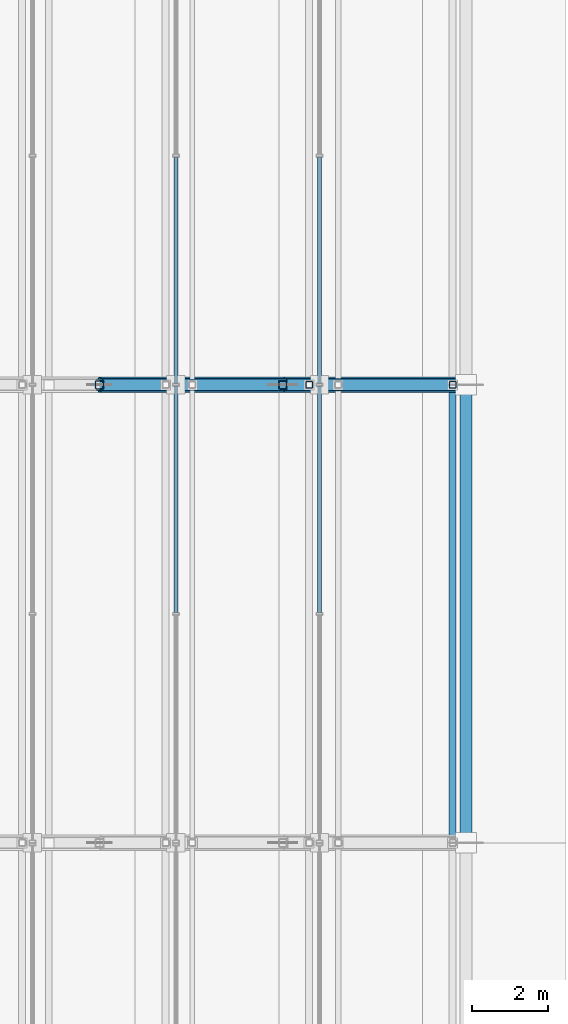
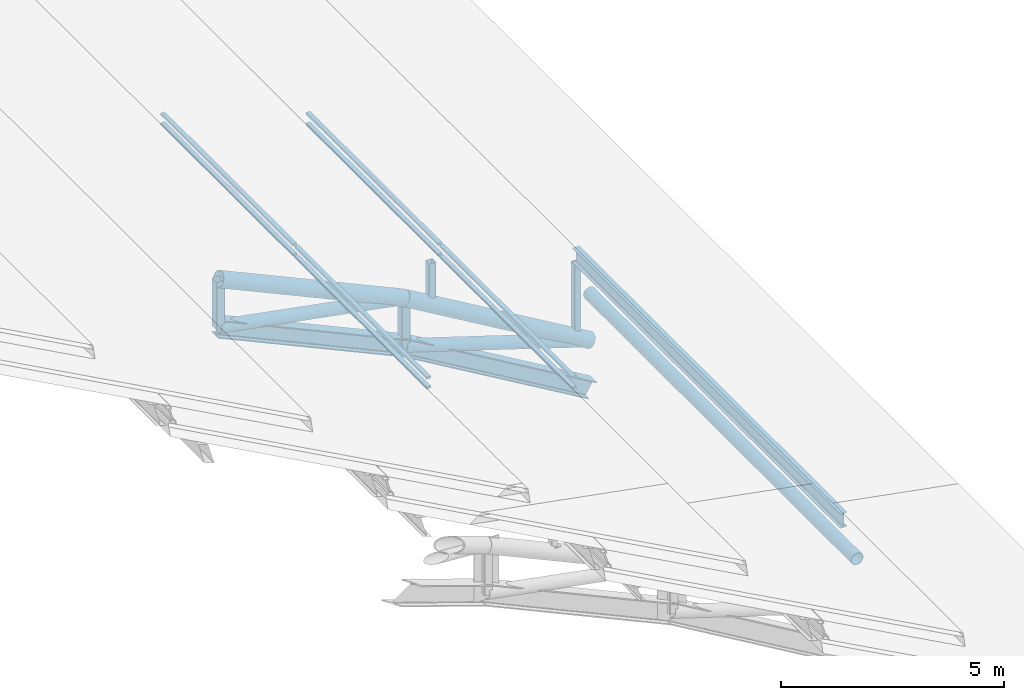
# One storey, part 28 of 117: 19 members, 1 beam, 2 elements without a shape of their own.
"""IFC4 building model written with IfcOpenShell, lengths in metres."""

from ifc_helpers import new_model, si_unit, direction, frame, origin, origin_2d, place, context, subcontext, project, spatial, hollow_rectangle, hollow_circle, i_section, extrude, material, material_profile, profile_set, type_object, element, aggregate, save


model = new_model("IFC4")

# Units and contexts
model_context = context("Model", 3, precision=1e-05, world=origin(), true_north=direction((0.0, 1.0)))
body_context = subcontext(model_context, "Body", "Model", "MODEL_VIEW")
ifc_project = project(units=[si_unit("LENGTHUNIT", "METRE"), si_unit("AREAUNIT", "SQUARE_METRE"), si_unit("VOLUMEUNIT", "CUBIC_METRE"), si_unit("PLANEANGLEUNIT", "RADIAN"), si_unit("MASSUNIT", "GRAM", prefix="KILO")], contexts=[model_context])

# Site, building, storey
site_placement = place(None, origin())
site = spatial("IfcSite", under=ifc_project, at=site_placement, CompositionType="ELEMENT")
building_placement = place(site_placement, origin())
building = spatial("IfcBuilding", under=site, at=building_placement, Name="Merenkruunu Market Hall", CompositionType="ELEMENT")
storey_placement = place(building_placement, frame((0.0, 0.0, 22.800048828125)))
storey = spatial("IfcBuildingStorey", under=building, at=storey_placement, Name="RF", CompositionType="ELEMENT", Elevation=22.800048828125)

# Members
ifc_material_1 = material(Name="Steel S355ML", Category="steel")
ifc_material_profile_1 = material_profile(ifc_material_1, hollow_circle(Radius=0.203125, WallThickness=0.01611328125, at=origin_2d()), Name="CHS 406.4x16")
ifc_profile_set_1 = profile_set([ifc_material_profile_1], Name="Steel S355ML")
member_type_1 = type_object("IfcMemberType", Name="Arch Truss Chord TC02", PredefinedType="CHORD", material=ifc_profile_set_1)
member_1_placement = place(storey_placement, frame((48.0, 75.60009765625, -5.12109375), z_axis=(0.909419998666, 0.0, -0.415878907889), x_axis=(0.0, 1.0, 0.0)))
element("IfcMember", 1, at=member_1_placement, inside=storey, type_object=member_type_1, Name="TRUSS-AT-6-TOP-11", PredefinedType="CHORD", context=body_context, shape_type="SweptSolid", body=[
    extrude(hollow_circle(Radius=0.203125, WallThickness=0.01611328125, at=origin_2d()), origin(), (0.0, 0.0, 1.0), 5.278076171875),
])
member_2_placement = place(storey_placement, frame((52.800048828125, 75.60009765625, -7.316162109375), z_axis=(0.861115679414, 0.0, -0.508409074139), x_axis=(0.0, 1.0, 0.0)))
element("IfcMember", 2, at=member_2_placement, inside=storey, type_object=member_type_1, Name="TRUSS-AT-6-TOP-12", PredefinedType="CHORD", context=body_context, shape_type="SweptSolid", body=[
    extrude(hollow_circle(Radius=0.203125, WallThickness=0.01611328125, at=origin_2d()), origin(), (0.0, 0.0, 1.0), 5.57421875),
])
ifc_material_profile_2 = material_profile(ifc_material_1, i_section(OverallWidth=0.300048828125, OverallDepth=0.449951171875, WebThickness=0.013916015625, FlangeThickness=0.02587890625, FilletRadius=0.027099609375, at=origin_2d()), Name="HEB 450")
ifc_profile_set_2 = profile_set([ifc_material_profile_2], Name="Steel S355ML")
member_type_2 = type_object("IfcMemberType", Name="Arch Truss Chord TC04", PredefinedType="CHORD", material=ifc_profile_set_2)
member_3_placement = place(storey_placement, frame((48.0, 75.60009765625, -6.421142578125), z_axis=(0.909437492245, 0.0, -0.415840651812), x_axis=(0.0, 1.0, 0.0)))
element("IfcMember", 3, at=member_3_placement, inside=storey, type_object=member_type_2, Name="TRUSS-AT-6-BOT-11", PredefinedType="CHORD", context=body_context, shape_type="SweptSolid", body=[
    extrude(i_section(OverallWidth=0.300048828125, OverallDepth=0.449951171875, WebThickness=0.013916015625, FlangeThickness=0.02587890625, FilletRadius=0.027099609375, at=origin_2d()), origin(), (0.0, 0.0, 1.0), 5.278076171875),
])
member_4_placement = place(storey_placement, frame((52.800048828125, 75.60009765625, -8.615966796875), z_axis=(0.861115679414, 0.0, -0.508409074139), x_axis=(0.0, 1.0, 0.0)))
element("IfcMember", 4, at=member_4_placement, inside=storey, type_object=member_type_2, Name="TRUSS-AT-6-BOT-12", PredefinedType="CHORD", context=body_context, shape_type="SweptSolid", body=[
    extrude(i_section(OverallWidth=0.300048828125, OverallDepth=0.449951171875, WebThickness=0.013916015625, FlangeThickness=0.02587890625, FilletRadius=0.027099609375, at=origin_2d()), origin(), (0.0, 0.0, 1.0), 5.57421875),
])

# Curtain wall, members
ifc_material_2 = material(Name="Powder-coated aluminium", Category="aluminium")
curtain_wall_type = type_object("IfcCurtainWallType", Name="Clerestory Curtain Band CL05", PredefinedType="USERDEFINED", material=ifc_material_2)
curtain_wall_1_placement = place(storey_placement, origin())
curtain_wall_1 = element("IfcCurtainWall", 5, at=curtain_wall_1_placement, inside=storey, type_object=curtain_wall_type, Name="CW-RF-CWM04-086", ObjectType="CLERESTORY_BAND", PredefinedType="USERDEFINED")
ifc_material_profile_3 = material_profile(ifc_material_2, hollow_rectangle(XDim=0.06005859375, YDim=0.110107421875, WallThickness=0.00390625, at=origin_2d()), Name="ALU 60x110x4")
ifc_profile_set_3 = profile_set([ifc_material_profile_3], Name="Powder-coated aluminium")
member_type_3 = type_object("IfcMemberType", Name="Curtain Wall Transom CWT03", PredefinedType="USERDEFINED", material=ifc_profile_set_3)
member_5_placement = place(storey_placement, frame((53.760009765625, 81.56494140625, -6.491943359375), z_axis=(0.0, -1.0, 0.0), x_axis=(0.0, 0.0, 1.0)))
member_5 = element("IfcMember", 6, at=member_5_placement, type_object=member_type_3, Name="CL05 transom 2.1", ObjectType="TRANSOM", PredefinedType="USERDEFINED", context=body_context, shape_type="SweptSolid", body=[
    extrude(hollow_rectangle(XDim=0.06005859375, YDim=0.110107421875, WallThickness=0.00390625, at=origin_2d()), origin(), (0.0, 0.0, 1.0), 5.929931640625),
])
member_6_placement = place(storey_placement, frame((53.760009765625, 81.56494140625, -6.2041015625), z_axis=(0.0, -1.0, 0.0), x_axis=(0.0, 0.0, 1.0)))
member_6 = element("IfcMember", 7, at=member_6_placement, type_object=member_type_3, Name="CL05 transom 2.2", ObjectType="TRANSOM", PredefinedType="USERDEFINED", context=body_context, shape_type="SweptSolid", body=[
    extrude(hollow_rectangle(XDim=0.06005859375, YDim=0.110107421875, WallThickness=0.00390625, at=origin_2d()), origin(), (0.0, 0.0, 1.0), 5.929931640625),
])
member_7_placement = place(storey_placement, frame((53.760009765625, 75.56494140625, -6.491943359375), z_axis=(0.0, -1.0, 0.0), x_axis=(0.0, 0.0, 1.0)))
member_7 = element("IfcMember", 8, at=member_7_placement, type_object=member_type_3, Name="CL05 transom 3.1", ObjectType="TRANSOM", PredefinedType="USERDEFINED", context=body_context, shape_type="SweptSolid", body=[
    extrude(hollow_rectangle(XDim=0.06005859375, YDim=0.110107421875, WallThickness=0.00390625, at=origin_2d()), origin(), (0.0, 0.0, 1.0), 5.929931640625),
])
member_8_placement = place(storey_placement, frame((53.760009765625, 75.56494140625, -6.2041015625), z_axis=(0.0, -1.0, 0.0), x_axis=(0.0, 0.0, 1.0)))
member_8 = element("IfcMember", 9, at=member_8_placement, type_object=member_type_3, Name="CL05 transom 3.2", ObjectType="TRANSOM", PredefinedType="USERDEFINED", context=body_context, shape_type="SweptSolid", body=[
    extrude(hollow_rectangle(XDim=0.06005859375, YDim=0.110107421875, WallThickness=0.00390625, at=origin_2d()), origin(), (0.0, 0.0, 1.0), 5.929931640625),
])
aggregate(curtain_wall_1, [member_5, member_6, member_7, member_8])

curtain_wall_2_placement = place(storey_placement, origin())
curtain_wall_2 = element("IfcCurtainWall", 10, at=curtain_wall_2_placement, inside=storey, type_object=curtain_wall_type, Name="CW-RF-CWM04-094", ObjectType="CLERESTORY_BAND", PredefinedType="USERDEFINED")
member_9_placement = place(storey_placement, frame((50.0, 81.56494140625, -5.172119140625), z_axis=(0.0, -1.0, 0.0), x_axis=(0.0, 0.0, 1.0)))
member_9 = element("IfcMember", 11, at=member_9_placement, type_object=member_type_3, Name="CL05 transom 2.1", ObjectType="TRANSOM", PredefinedType="USERDEFINED", context=body_context, shape_type="SweptSolid", body=[
    extrude(hollow_rectangle(XDim=0.06005859375, YDim=0.110107421875, WallThickness=0.00390625, at=origin_2d()), origin(), (0.0, 0.0, 1.0), 5.929931640625),
])
member_10_placement = place(storey_placement, frame((50.0, 81.56494140625, -4.905029296875), z_axis=(0.0, -1.0, 0.0), x_axis=(0.0, 0.0, 1.0)))
member_10 = element("IfcMember", 12, at=member_10_placement, type_object=member_type_3, Name="CL05 transom 2.2", ObjectType="TRANSOM", PredefinedType="USERDEFINED", context=body_context, shape_type="SweptSolid", body=[
    extrude(hollow_rectangle(XDim=0.06005859375, YDim=0.110107421875, WallThickness=0.00390625, at=origin_2d()), origin(), (0.0, 0.0, 1.0), 5.929931640625),
])
member_11_placement = place(storey_placement, frame((50.0, 75.56494140625, -5.172119140625), z_axis=(0.0, -1.0, 0.0), x_axis=(0.0, 0.0, 1.0)))
member_11 = element("IfcMember", 13, at=member_11_placement, type_object=member_type_3, Name="CL05 transom 3.1", ObjectType="TRANSOM", PredefinedType="USERDEFINED", context=body_context, shape_type="SweptSolid", body=[
    extrude(hollow_rectangle(XDim=0.06005859375, YDim=0.110107421875, WallThickness=0.00390625, at=origin_2d()), origin(), (0.0, 0.0, 1.0), 5.929931640625),
])
member_12_placement = place(storey_placement, frame((50.0, 75.56494140625, -4.905029296875), z_axis=(0.0, -1.0, 0.0), x_axis=(0.0, 0.0, 1.0)))
member_12 = element("IfcMember", 14, at=member_12_placement, type_object=member_type_3, Name="CL05 transom 3.2", ObjectType="TRANSOM", PredefinedType="USERDEFINED", context=body_context, shape_type="SweptSolid", body=[
    extrude(hollow_rectangle(XDim=0.06005859375, YDim=0.110107421875, WallThickness=0.00390625, at=origin_2d()), origin(), (0.0, 0.0, 1.0), 5.929931640625),
])
aggregate(curtain_wall_2, [member_9, member_10, member_11, member_12])

# Members
ifc_material_profile_4 = material_profile(ifc_material_1, hollow_circle(Radius=0.161865234375, WallThickness=0.01611328125, at=origin_2d()), Name="CHS 323.9x16")
ifc_profile_set_4 = profile_set([ifc_material_profile_4], Name="Steel S355ML")
member_type_4 = type_object("IfcMemberType", Name="Diagonal Sway Brace BR01", PredefinedType="BRACE", material=ifc_profile_set_4)
member_13_placement = place(storey_placement, frame((48.0, 75.60009765625, -6.421142578125), z_axis=(0.983056786802, 0.0, -0.18330126547), x_axis=(0.0, 1.0, 0.0)))
element("IfcMember", 15, at=member_13_placement, inside=storey, type_object=member_type_4, Name="TRUSS-AT-6-DIAG-11", PredefinedType="BRACE", context=body_context, shape_type="SweptSolid", body=[
    extrude(hollow_circle(Radius=0.161865234375, WallThickness=0.01611328125, at=origin_2d()), origin(), (0.0, 0.0, 1.0), 4.8828125),
])
member_14_placement = place(storey_placement, frame((52.800048828125, 75.60009765625, -8.615966796875), z_axis=(0.95252984503, 0.0, -0.304445223853), x_axis=(0.0, 1.0, 0.0)))
element("IfcMember", 16, at=member_14_placement, inside=storey, type_object=member_type_4, Name="TRUSS-AT-6-DIAG-12", PredefinedType="BRACE", context=body_context, shape_type="SweptSolid", body=[
    extrude(hollow_circle(Radius=0.161865234375, WallThickness=0.01611328125, at=origin_2d()), origin(), (0.0, 0.0, 1.0), 5.039306640625),
])
ifc_material_3 = material(Name="Steel S355J2", Category="steel")
ifc_material_profile_5 = material_profile(ifc_material_3, hollow_rectangle(XDim=0.219970703125, YDim=0.219970703125, WallThickness=0.012451171875, InnerFilletRadius=0.012451171875, OuterFilletRadius=0.02490234375, at=origin_2d()), Name="SHS 220x220x12.5")
ifc_profile_set_5 = profile_set([ifc_material_profile_5], Name="Steel S355J2")
member_type_5 = type_object("IfcMemberType", Name="Diagonal Sway Brace BR04", PredefinedType="BRACE", material=ifc_profile_set_5)
member_15_placement = place(storey_placement, frame((48.0, 75.60009765625, -6.421142578125), z_axis=(0.0, 0.0, 1.0), x_axis=(1.0, 0.0, 0.0)))
element("IfcMember", 17, at=member_15_placement, inside=storey, type_object=member_type_5, Name="TRUSS-AT-6-POST-10", PredefinedType="BRACE", context=body_context, shape_type="SweptSolid", body=[
    extrude(hollow_rectangle(XDim=0.219970703125, YDim=0.219970703125, WallThickness=0.012451171875, InnerFilletRadius=0.012451171875, OuterFilletRadius=0.02490234375, at=origin_2d()), origin(), (0.0, 0.0, 1.0), 1.300048828125),
])
member_16_placement = place(storey_placement, frame((52.800048828125, 75.60009765625, -8.615966796875), z_axis=(0.0, 0.0, 1.0), x_axis=(1.0, 0.0, 0.0)))
element("IfcMember", 18, at=member_16_placement, inside=storey, type_object=member_type_5, Name="TRUSS-AT-6-POST-11", PredefinedType="BRACE", context=body_context, shape_type="SweptSolid", body=[
    extrude(hollow_rectangle(XDim=0.219970703125, YDim=0.219970703125, WallThickness=0.012451171875, InnerFilletRadius=0.012451171875, OuterFilletRadius=0.02490234375, at=origin_2d()), origin(), (0.0, 0.0, 1.0), 1.2998046875),
])
ifc_material_profile_6 = material_profile(ifc_material_3, hollow_rectangle(XDim=0.179931640625, YDim=0.179931640625, WallThickness=0.010009765625, InnerFilletRadius=0.010009765625, OuterFilletRadius=0.02001953125, at=origin_2d()), Name="SHS 180x180x10")
ifc_profile_set_6 = profile_set([ifc_material_profile_6], Name="Steel S355J2")
member_type_6 = type_object("IfcMemberType", Name="Diagonal Sway Brace BR05", PredefinedType="BRACE", material=ifc_profile_set_6)
member_17_placement = place(storey_placement, frame((57.25, 75.60009765625, -9.751953125), z_axis=(0.0, 0.0, 1.0), x_axis=(1.0, 0.0, 0.0)))
element("IfcMember", 19, at=member_17_placement, inside=storey, type_object=member_type_6, Name="TRUSS-AT-6-RISER-E1-1", PredefinedType="BRACE", context=body_context, shape_type="SweptSolid", body=[
    extrude(hollow_rectangle(XDim=0.179931640625, YDim=0.179931640625, WallThickness=0.010009765625, InnerFilletRadius=0.010009765625, OuterFilletRadius=0.02001953125, at=origin_2d()), origin(), (0.0, 0.0, 1.0), 1.853515625),
])
member_18_placement = place(storey_placement, frame((53.489990234375, 75.60009765625, -7.53173828125), z_axis=(0.0, 0.0, 1.0), x_axis=(1.0, 0.0, 0.0)))
element("IfcMember", 20, at=member_18_placement, inside=storey, type_object=member_type_6, Name="TRUSS-AT-6-RISER-E2-1", PredefinedType="BRACE", context=body_context, shape_type="SweptSolid", body=[
    extrude(hollow_rectangle(XDim=0.179931640625, YDim=0.179931640625, WallThickness=0.010009765625, InnerFilletRadius=0.010009765625, OuterFilletRadius=0.02001953125, at=origin_2d()), origin(), (0.0, 0.0, 1.0), 0.9736328125),
])

# Beam
ifc_material_profile_7 = material_profile(ifc_material_1, hollow_circle(Radius=0.161865234375, WallThickness=0.01611328125, at=origin_2d()), Name="CHS 323.9x16")
ifc_profile_set_7 = profile_set([ifc_material_profile_7], Name="Steel S355ML")
beam_type = type_object("IfcBeamType", Name="Perimeter Spandrel Beam SP05", PredefinedType="SPANDREL", material=ifc_profile_set_7)
beam_placement = place(storey_placement, frame((57.60009765625, 63.60009765625, -8.862060546875), z_axis=(0.0, 1.0, 0.0), x_axis=(-1.0, 0.0, 0.0)))
element("IfcBeam", 21, at=beam_placement, inside=storey, type_object=beam_type, Name="BM-RF-SP05-1281", PredefinedType="SPANDREL", context=body_context, shape_type="SweptSolid", body=[
    extrude(hollow_circle(Radius=0.161865234375, WallThickness=0.01611328125, at=origin_2d()), origin(), (0.0, 0.0, 1.0), 12.0),
])

# Member
ifc_material_profile_8 = material_profile(ifc_material_1, i_section(OverallWidth=0.179931640625, OverallDepth=0.39990234375, WebThickness=0.008544921875, FlangeThickness=0.013427734375, FilletRadius=0.02099609375, at=origin_2d()), Name="IPE 400")
ifc_profile_set_8 = profile_set([ifc_material_profile_8], Name="Steel S355ML")
member_type_7 = type_object("IfcMemberType", Name="Roof Purlin Rafter PR09", PredefinedType="PURLIN", material=ifc_profile_set_8)
member_19_placement = place(storey_placement, frame((57.25, 63.60009765625, -7.680419921875), z_axis=(0.0, 1.0, 0.0), x_axis=(-1.0, 0.0, 0.0)))
element("IfcMember", 22, at=member_19_placement, inside=storey, type_object=member_type_7, Name="MEM-RF-PURL-E-010", PredefinedType="PURLIN", context=body_context, shape_type="SweptSolid", body=[
    extrude(i_section(OverallWidth=0.179931640625, OverallDepth=0.39990234375, WebThickness=0.008544921875, FlangeThickness=0.013427734375, FilletRadius=0.02099609375, at=origin_2d()), origin(), (0.0, 0.0, 1.0), 12.0),
])

save(model, "model.ifc")
